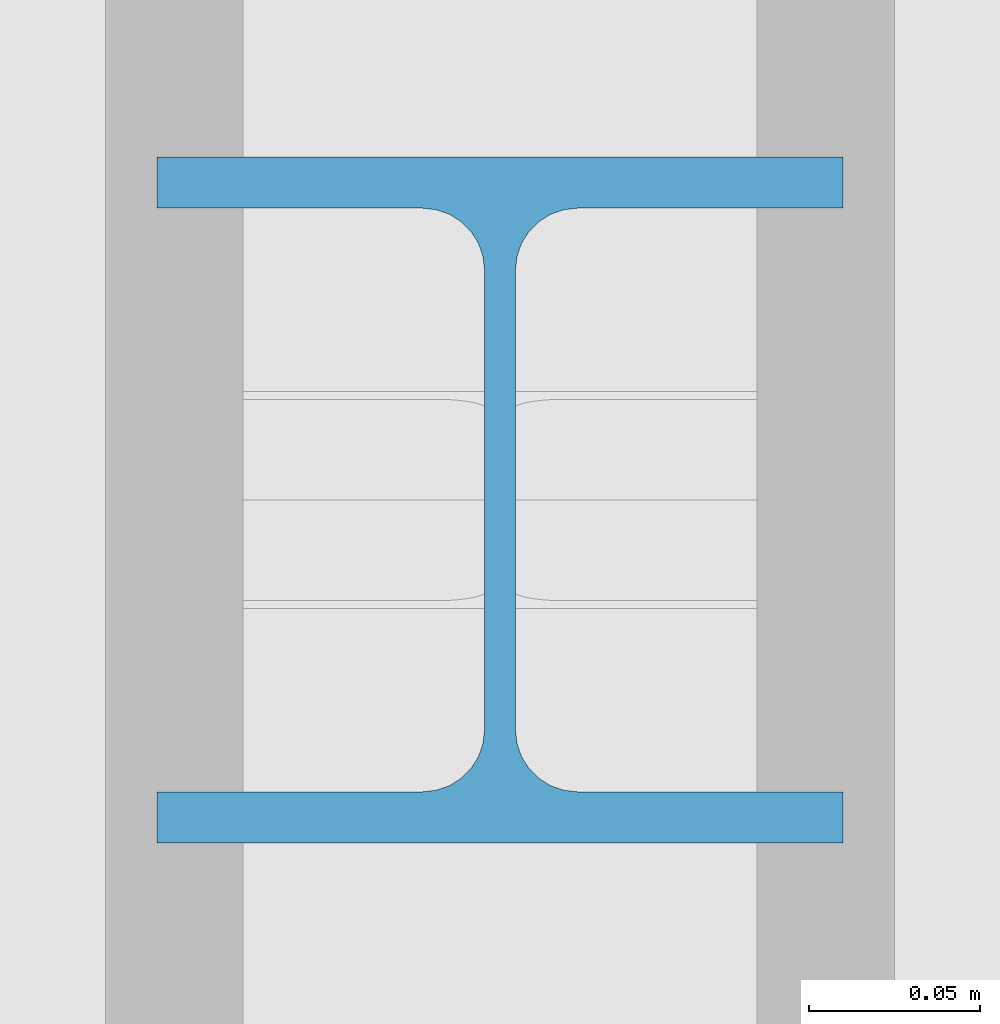
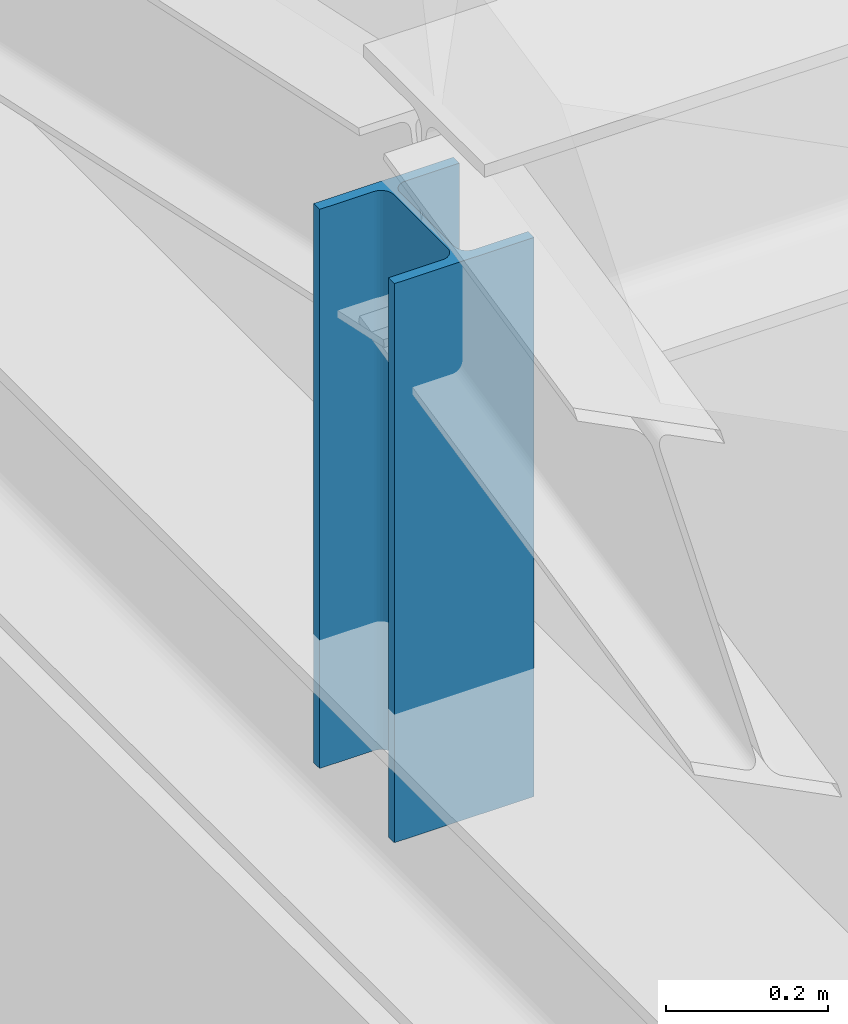
# One storey, part 13 of 26: 1 member.
"""IFC4 building model written with IfcOpenShell, lengths in metres."""

from ifc_helpers import new_model, si_unit, direction, frame, origin, origin_2d, place, context, subcontext, project, spatial, i_section, extrude, material, material_profile, profile_set, type_object, element, save


model = new_model("IFC4")

# Units and contexts
model_context = context("Model", 3, precision=1e-05, world=origin(), true_north=direction((0.0, 1.0)))
body_context = subcontext(model_context, "Body", "Model", "MODEL_VIEW")
ifc_project = project(units=[si_unit("LENGTHUNIT", "METRE"), si_unit("AREAUNIT", "SQUARE_METRE"), si_unit("VOLUMEUNIT", "CUBIC_METRE"), si_unit("PLANEANGLEUNIT", "RADIAN"), si_unit("MASSUNIT", "GRAM", prefix="KILO")], contexts=[model_context])

# Site, building, storey
site_placement = place(None, origin())
site = spatial("IfcSite", under=ifc_project, at=site_placement, CompositionType="ELEMENT")
building_placement = place(site_placement, origin())
building = spatial("IfcBuilding", under=site, at=building_placement, Name="Danafjord Basin Convention Centre", CompositionType="ELEMENT")
storey_placement = place(building_placement, frame((0.0, 0.0, 29.39990234375)))
storey = spatial("IfcBuildingStorey", under=building, at=storey_placement, Name="RF", CompositionType="ELEMENT", Elevation=29.39990234375)

# Member
ifc_material = material(Name="Steel S355", Category="steel")
ifc_material_profile = material_profile(ifc_material, i_section(OverallWidth=0.199951171875, OverallDepth=0.199951171875, WebThickness=0.009033203125, FlangeThickness=0.014892578125, FilletRadius=0.01806640625, at=origin_2d()), Name="HEB 200")
ifc_profile_set = profile_set([ifc_material_profile], Name="Steel S355")
member_type = type_object("IfcMemberType", Name="MEM-ST-HEB200", PredefinedType="STRUT", material=ifc_profile_set)
member_placement = place(storey_placement, frame((9.60009765625, 20.0, 3.800048828125), z_axis=(0.0, 0.0, 1.0), x_axis=(1.0, 0.0, 0.0)))
element("IfcMember", 1, at=member_placement, inside=storey, type_object=member_type, Name="Observatory ridge king-post", PredefinedType="STRUT", context=body_context, shape_type="SweptSolid", body=[
    extrude(i_section(OverallWidth=0.199951171875, OverallDepth=0.199951171875, WebThickness=0.009033203125, FlangeThickness=0.014892578125, FilletRadius=0.01806640625, at=origin_2d()), origin(), (0.0, 0.0, 1.0), 0.844970703125),
])

save(model, "model.ifc")
